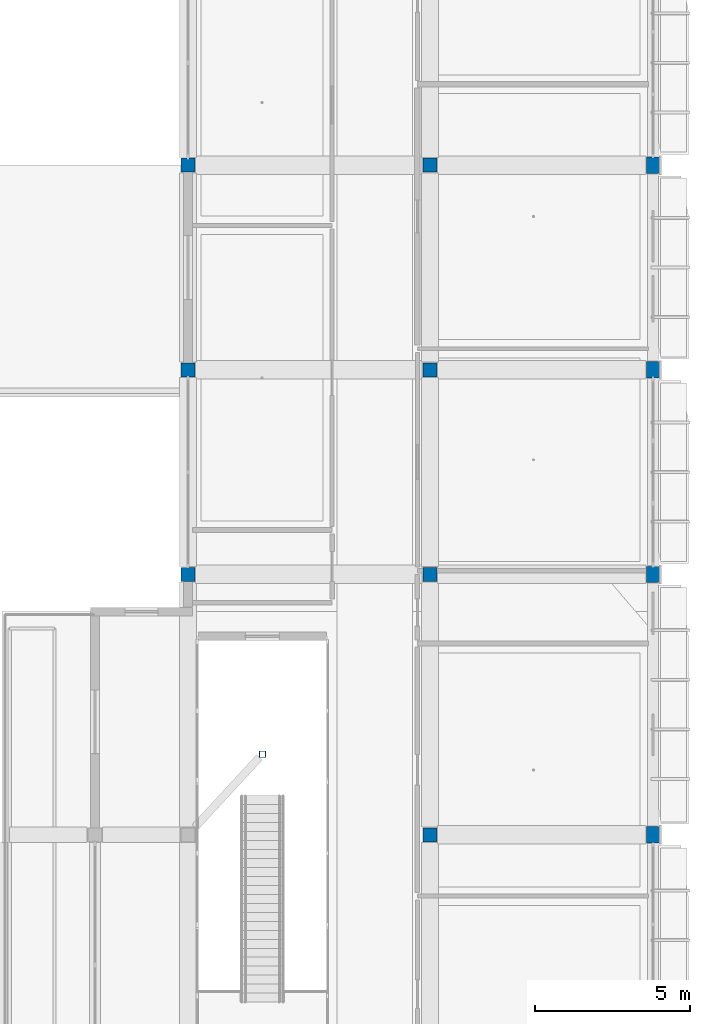
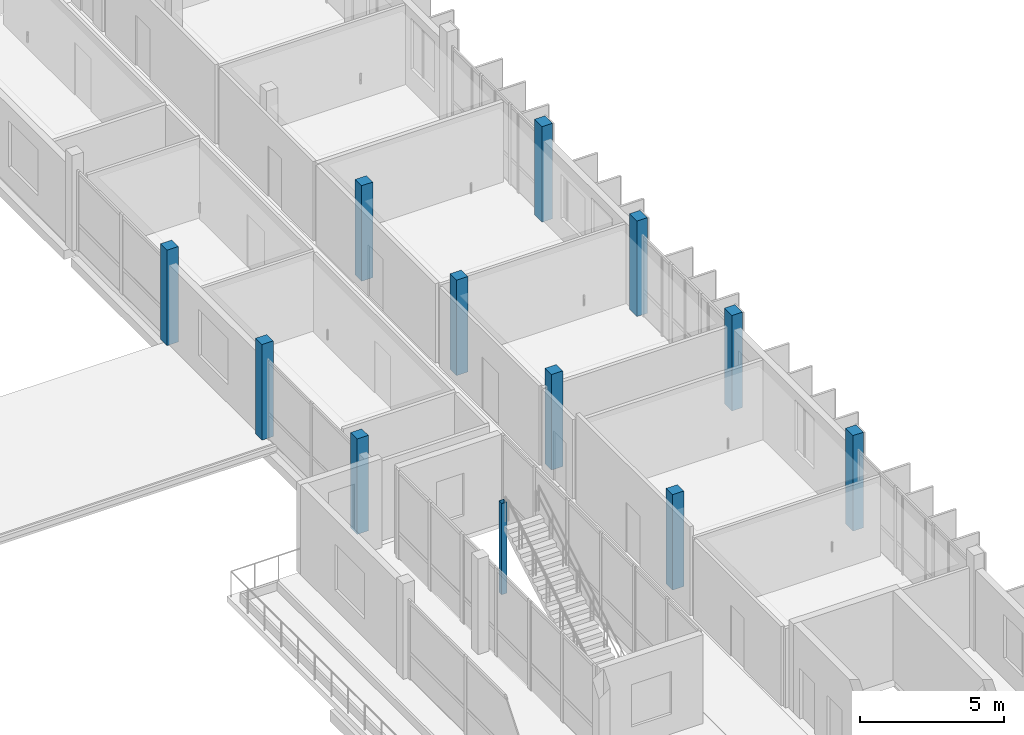
# One storey, part 3 of 86: 12 columns.
"""IFC4 building model written with IfcOpenShell, lengths in metres."""

from ifc_helpers import new_model, si_unit, derived_unit, direction, frame, origin, origin_2d, place, context, subcontext, project, spatial, rectangle, hollow_rectangle, extrude, material, material_profile, profile_set, type_object, element, save


model = new_model("IFC4")

# Units and contexts
model_context = context("Model", 3, precision=1e-05, world=origin(), true_north=direction((0.0, 1.0)))
body_context = subcontext(model_context, "Body", "Model", "MODEL_VIEW")
ifc_project = project(units=[si_unit("LENGTHUNIT", "METRE"), si_unit("AREAUNIT", "SQUARE_METRE"), si_unit("VOLUMEUNIT", "CUBIC_METRE"), si_unit("PLANEANGLEUNIT", "RADIAN"), si_unit("MASSUNIT", "GRAM", prefix="KILO"), derived_unit("THERMALTRANSMITTANCEUNIT", [(si_unit("POWERUNIT", "WATT"), 1), (si_unit("LENGTHUNIT", "METRE"), -2), (si_unit("THERMODYNAMICTEMPERATUREUNIT", "KELVIN"), -1)])], contexts=[model_context])

# Site, building, storey
site_placement = place(None, origin())
site = spatial("IfcSite", under=ifc_project, at=site_placement, CompositionType="ELEMENT")
building_placement = place(site_placement, origin())
building = spatial("IfcBuilding", under=site, at=building_placement, Name="Braskholm Square Health Centre", CompositionType="ELEMENT")
storey_placement = place(building_placement, frame((0.0, 0.0, 13.5)))
storey = spatial("IfcBuildingStorey", under=building, at=storey_placement, Name="L04", CompositionType="ELEMENT", Elevation=13.5)

# Columns
ifc_material_1 = material(Name="Concrete C40/50 (f'c = 40 MPa)", Category="concrete")
ifc_material_profile_1 = material_profile(ifc_material_1, rectangle(XDim=0.449951171875, YDim=0.449951171875, at=origin_2d()), Name="RC-450X450")
ifc_profile_set_1 = profile_set([ifc_material_profile_1], Name="Concrete C40/50 (f'c = 40 MPa)")
column_type_1 = type_object("IfcColumnType", Name="ColInteriorTop450", PredefinedType="COLUMN", material=ifc_profile_set_1)
for number, where, z_axis, x_axis, name in (
    (1, (148.800048828125, 80.60009765625, 0.0), (0.0, 0.0, 1.0), (1.0, 0.0, 0.0), "Column 20/M L04"),
    (2, (148.800048828125, 87.199951171875, 0.0), (0.0, 0.0, 1.0), (1.0, 0.0, 0.0), "Column 20/N L04"),
    (3, (148.800048828125, 93.800048828125, 0.0), (0.0, 0.0, 1.0), (1.0, 0.0, 0.0), "Column 20/P L04"),
    (4, (156.60009765625, 72.199951171875, 0.0), (0.0, 0.0, 1.0), (1.0, 0.0, 0.0), "Column 21/L L04"),
    (5, (156.60009765625, 80.60009765625, 0.0), (0.0, 0.0, 1.0), (1.0, 0.0, 0.0), "Column 21/M L04"),
    (6, (156.60009765625, 87.199951171875, 0.0), (0.0, 0.0, 1.0), (1.0, 0.0, 0.0), "Column 21/N L04"),
    (7, (156.60009765625, 93.800048828125, 0.0), (0.0, 0.0, 1.0), (1.0, 0.0, 0.0), "Column 21/P L04"),
):
    element("IfcColumn", number, at=place(storey_placement, frame(where, z_axis=z_axis, x_axis=x_axis)), inside=storey, type_object=column_type_1, Name=name, PredefinedType="COLUMN", context=body_context, shape_type="SweptSolid", body=[
        extrude(rectangle(XDim=0.449951171875, YDim=0.449951171875, at=origin_2d()), origin(), (0.0, 0.0, 1.0), 4.050048828125),
    ])
ifc_material_2 = material(Name="Precast concrete C40/50 architectural white", Category="concrete")
ifc_material_profile_2 = material_profile(ifc_material_2, rectangle(XDim=0.419921875, YDim=0.52001953125, at=origin_2d()), Name="RC-420X520")
ifc_profile_set_2 = profile_set([ifc_material_profile_2], Name="Precast concrete C40/50 architectural white")
column_type_2 = type_object("IfcColumnType", Name="ColPrecastFrame420x520", PredefinedType="COLUMN", material=ifc_profile_set_2)
for number, where, z_axis, x_axis, name in (
    (8, (163.800048828125, 72.199951171875, 0.0), (0.0, 0.0, 1.0), (1.0, 0.0, 0.0), "Column 22/L L04"),
    (9, (163.800048828125, 80.60009765625, 0.0), (0.0, 0.0, 1.0), (1.0, 0.0, 0.0), "Column 22/M L04"),
    (10, (163.800048828125, 87.199951171875, 0.0), (0.0, 0.0, 1.0), (1.0, 0.0, 0.0), "Column 22/N L04"),
    (11, (163.800048828125, 93.800048828125, 0.0), (0.0, 0.0, 1.0), (1.0, 0.0, 0.0), "Column 22/P L04"),
):
    element("IfcColumn", number, at=place(storey_placement, frame(where, z_axis=z_axis, x_axis=x_axis)), inside=storey, type_object=column_type_2, Name=name, PredefinedType="COLUMN", context=body_context, shape_type="SweptSolid", body=[
        extrude(rectangle(XDim=0.419921875, YDim=0.52001953125, at=origin_2d()), origin(), (0.0, 0.0, 1.0), 4.050048828125),
    ])
ifc_material_3 = material(Name="Steel ASTM A500 Grade C", Category="steel")
ifc_material_profile_3 = material_profile(ifc_material_3, hollow_rectangle(XDim=0.203125, YDim=0.203125, WallThickness=0.0087890625, at=origin_2d()), Name="HSS8X8X3/8")
ifc_profile_set_3 = profile_set([ifc_material_profile_3], Name="Steel ASTM A500 Grade C")
column_type_3 = type_object("IfcColumnType", Name="ColSteelPorchHSS8", PredefinedType="COLUMN", material=ifc_profile_set_3)
column_placement = place(storey_placement, frame((151.199951171875, 74.800048828125, 0.0), z_axis=(0.0, 0.0, 1.0), x_axis=(1.0, 0.0, 0.0)))
element("IfcColumn", 12, at=column_placement, inside=storey, type_object=column_type_3, Name="Column CS3F L04", PredefinedType="COLUMN", context=body_context, shape_type="SweptSolid", body=[
    extrude(hollow_rectangle(XDim=0.203125, YDim=0.203125, WallThickness=0.0087890625, at=origin_2d()), origin(), (0.0, 0.0, 1.0), 3.8701171875),
])

save(model, "model.ifc")
